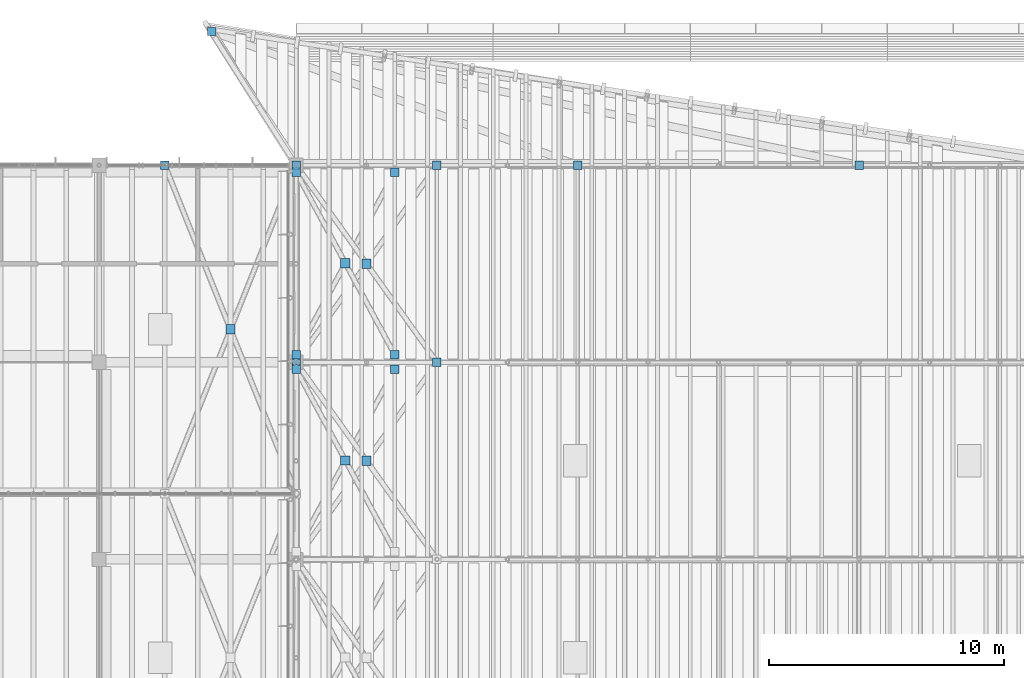
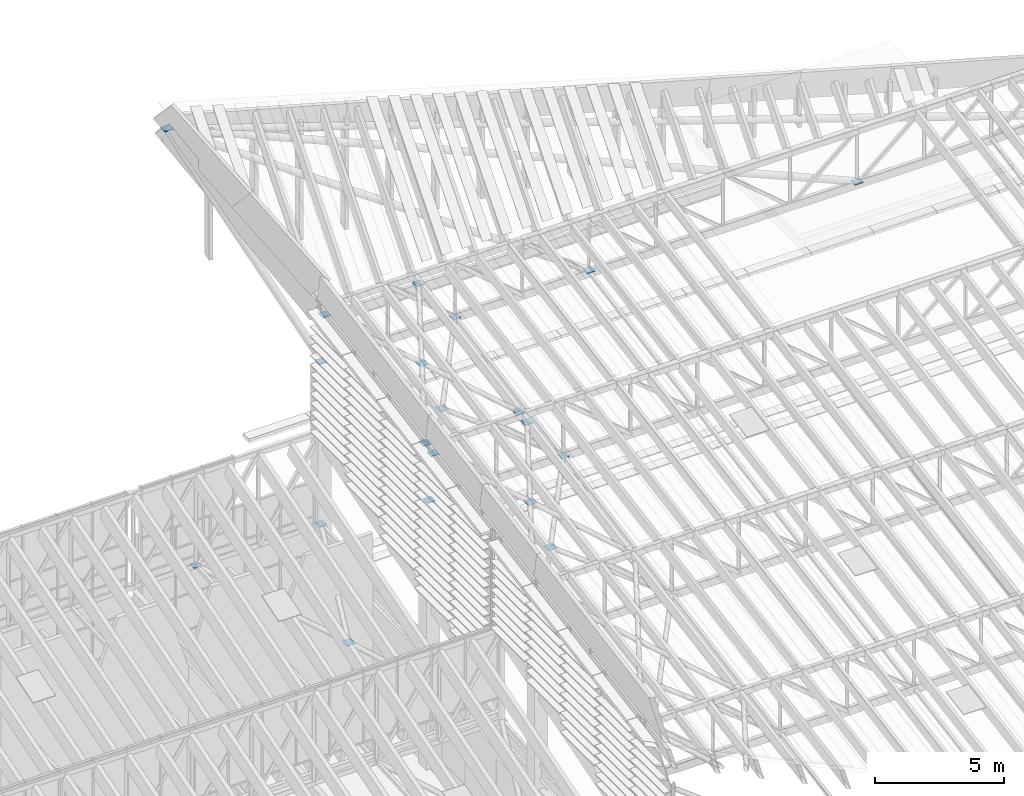
# One storey, part 69 of 91: 20 discrete accessories.
"""IFC4 building model written with IfcOpenShell, lengths in metres."""

from ifc_helpers import new_model, si_unit, direction, frame, origin, origin_2d, place, context, subcontext, project, spatial, rectangle, extrude, material, type_object, element, save


model = new_model("IFC4")

# Units and contexts
model_context = context("Model", 3, precision=1e-05, world=origin(), true_north=direction((0.0, 1.0)))
body_context = subcontext(model_context, "Body", "Model", "MODEL_VIEW")
ifc_project = project(units=[si_unit("LENGTHUNIT", "METRE"), si_unit("AREAUNIT", "SQUARE_METRE"), si_unit("VOLUMEUNIT", "CUBIC_METRE"), si_unit("PLANEANGLEUNIT", "RADIAN"), si_unit("MASSUNIT", "GRAM", prefix="KILO")], contexts=[model_context])

# Site, building, storey
site_placement = place(None, origin())
site = spatial("IfcSite", under=ifc_project, at=site_placement, CompositionType="ELEMENT")
building_placement = place(site_placement, origin())
building = spatial("IfcBuilding", under=site, at=building_placement, Name="Almond Square Museum", CompositionType="ELEMENT")
storey_placement = place(building_placement, frame((0.0, 0.0, 30.0)))
storey = spatial("IfcBuildingStorey", under=building, at=storey_placement, Name="L05", CompositionType="ELEMENT", Elevation=30.0)

# Discrete accessories
ifc_material_1 = material(Name="Structural steel S355", Category="steel")
discrete_accessory_type_1 = type_object("IfcDiscreteAccessoryType", Name="Brace crossing plate", PredefinedType="BRACKET", material=ifc_material_1)
for number, where, z_axis, x_axis, name in (
    (1, (104.0, 102.199951171875, 5.895263671875), (0.0, 0.0, 1.0), (1.0, 0.0, 0.0), "Brace crossing plate"),
    (2, (109.800048828125, 96.60009765625, 11.77490234375), (0.0, 0.0, 1.0), (1.0, 0.0, 0.0), "Brace crossing plate"),
    (3, (109.800048828125, 105.0, 13.244873046875), (0.0, 0.0, 1.0), (1.0, 0.0, 0.0), "Brace crossing plate"),
    (4, (108.89990234375, 96.614990234375, 14.222412109375), (0.0, 0.0, 1.0), (1.0, 0.0, 0.0), "Brace crossing plate"),
    (5, (108.89990234375, 105.014892578125, 15.6923828125), (0.0, 0.0, 1.0), (1.0, 0.0, 0.0), "Brace crossing plate"),
):
    element("IfcDiscreteAccessory", number, at=place(storey_placement, frame(where, z_axis=z_axis, x_axis=x_axis)), inside=storey, type_object=discrete_accessory_type_1, Name=name, PredefinedType="BRACKET", context=body_context, shape_type="SweptSolid", body=[
        extrude(rectangle(XDim=0.39990234375, YDim=0.39990234375, at=origin_2d()), origin(), (0.0, 0.0, 1.0), 0.02001953125),
    ])
ifc_material_2 = material(Name="Structural steel S355", Category="steel")
discrete_accessory_type_2 = type_object("IfcDiscreteAccessoryType", Name="Brace end plate", PredefinedType="BRACKET", material=ifc_material_2)
for number, where, z_axis, x_axis, name in (
    (6, (112.800048828125, 100.800048828125, 12.5048828125), (0.0, 0.0, 1.0), (1.0, 0.0, 0.0), "Brace end plate"),
    (7, (106.800048828125, 100.800048828125, 12.5048828125), (0.0, 0.0, 1.0), (1.0, 0.0, 0.0), "Brace end plate"),
    (8, (112.800048828125, 109.199951171875, 13.97509765625), (0.0, 0.0, 1.0), (1.0, 0.0, 0.0), "Brace end plate"),
    (9, (106.800048828125, 109.199951171875, 13.97509765625), (0.0, 0.0, 1.0), (1.0, 0.0, 0.0), "Brace end plate"),
    (10, (111.0, 100.5, 14.89697265625), (0.0, 0.0, 1.0), (1.0, 0.0, 0.0), "Brace end plate"),
    (11, (106.800048828125, 100.5, 14.89697265625), (0.0, 0.0, 1.0), (1.0, 0.0, 0.0), "Brace end plate"),
    (12, (106.800048828125, 101.1298828125, 15.00732421875), (0.0, 0.0, 1.0), (1.0, 0.0, 0.0), "Brace end plate"),
    (13, (111.0, 108.89990234375, 16.3671875), (0.0, 0.0, 1.0), (1.0, 0.0, 0.0), "Brace end plate"),
    (14, (111.0, 101.1298828125, 15.00732421875), (0.0, 0.0, 1.0), (1.0, 0.0, 0.0), "Brace end plate"),
    (15, (106.800048828125, 108.89990234375, 16.3671875), (0.0, 0.0, 1.0), (1.0, 0.0, 0.0), "Brace end plate"),
    (16, (103.199951171875, 114.89990234375, 22.79248046875), (0.0, 0.0, 1.0), (1.0, 0.0, 0.0), "Brace end plate"),
    (17, (118.800048828125, 109.199951171875, 14.0751953125), (0.0, 0.0, 1.0), (1.0, 0.0, 0.0), "Brace end plate"),
    (18, (130.800048828125, 109.199951171875, 14.0751953125), (0.0, 0.0, 1.0), (1.0, 0.0, 0.0), "Brace end plate"),
    (19, (106.800048828125, 109.199951171875, 6.2900390625), (0.0, 0.0, 1.0), (1.0, 0.0, 0.0), "Brace end plate"),
    (20, (101.199951171875, 109.199951171875, 6.2900390625), (0.0, 0.0, 1.0), (1.0, 0.0, 0.0), "Brace end plate"),
):
    element("IfcDiscreteAccessory", number, at=place(storey_placement, frame(where, z_axis=z_axis, x_axis=x_axis)), inside=storey, type_object=discrete_accessory_type_2, Name=name, PredefinedType="BRACKET", context=body_context, shape_type="SweptSolid", body=[
        extrude(rectangle(XDim=0.360107421875, YDim=0.360107421875, at=origin_2d()), origin(), (0.0, 0.0, 1.0), 0.030029296875),
    ])

save(model, "model.ifc")
